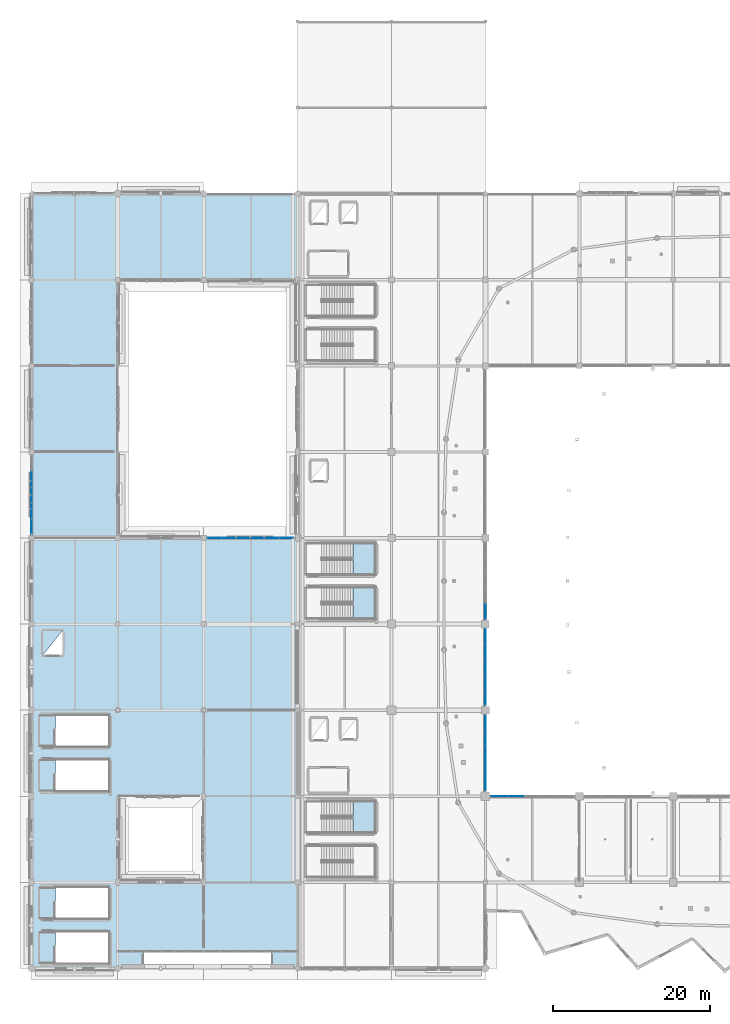
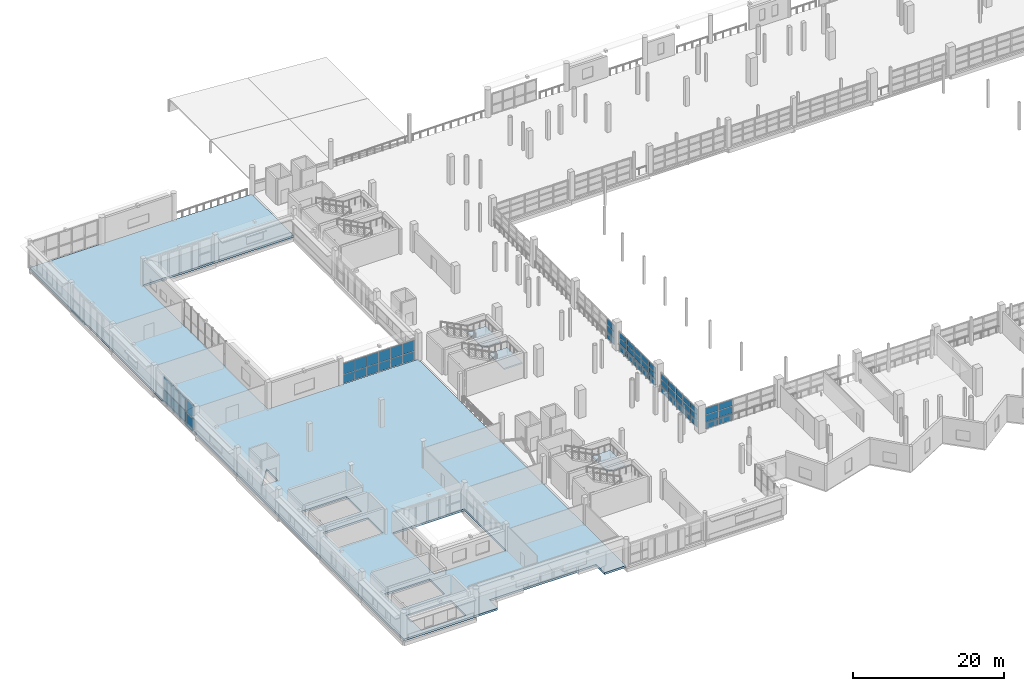
# One storey, part 66 of 118: 59 plates, 4 slabs, 9 elements without a shape of their own.
"""IFC4 building model written with IfcOpenShell, lengths in metres."""

from ifc_helpers import new_model, si_unit, direction, frame, origin, origin_2d, place, context, subcontext, project, spatial, polyline, rectangle, outline, extrude, material, layer, layer_set, type_object, element, aggregate, save


model = new_model("IFC4")

# Units and contexts
model_context = context("Model", 3, precision=1e-05, world=origin(), true_north=direction((0.0, 1.0)))
body_context = subcontext(model_context, "Body", "Model", "MODEL_VIEW")
ifc_project = project(units=[si_unit("LENGTHUNIT", "METRE"), si_unit("AREAUNIT", "SQUARE_METRE"), si_unit("VOLUMEUNIT", "CUBIC_METRE"), si_unit("PLANEANGLEUNIT", "RADIAN"), si_unit("MASSUNIT", "GRAM", prefix="KILO")], contexts=[model_context])

# Site, building, storey
site_placement = place(None, origin())
site = spatial("IfcSite", under=ifc_project, at=site_placement, CompositionType="ELEMENT")
building_placement = place(site_placement, origin())
building = spatial("IfcBuilding", under=site, at=building_placement, Name="Luwafu Chhajja Arena", CompositionType="ELEMENT")
storey_placement = place(building_placement, frame((0.0, 0.0, 10.199951171875)))
storey = spatial("IfcBuildingStorey", under=building, at=storey_placement, Name="L02", CompositionType="ELEMENT", Elevation=10.199951171875)

# Curtain wall, plates
ifc_material_1 = material(Name="Anodised bronze aluminium", Category="aluminium")
curtain_wall_type_1 = type_object("IfcCurtainWallType", Name="VIP Club Terrace Curtain Wall", PredefinedType="USERDEFINED", material=ifc_material_1)
curtain_wall_1_placement = place(storey_placement, origin())
curtain_wall_1 = element("IfcCurtainWall", 1, at=curtain_wall_1_placement, inside=storey, type_object=curtain_wall_type_1, Name="L02 Curtain Wall CWG-L02-H02_05", ObjectType="CURTAIN WALL", PredefinedType="USERDEFINED")
ifc_material_2 = material(Name="Solar-control laminated glass", Category="glass")
ifc_layer_1 = layer(ifc_material_2, 0.035888671875, Name="Solar-control laminated glass")
ifc_layer_set_1 = layer_set([ifc_layer_1], Name="Solar-control laminated glass")
plate_type_1 = type_object("IfcPlateType", Name="Acoustic Broadcast Double Glazed CW Panel 36", PredefinedType="CURTAIN_PANEL", material=ifc_layer_set_1)
plate_1_placement = place(storey_placement, frame((23.393310546875, 55.0, 0.094970703125), z_axis=(0.0, 0.0, 1.0), x_axis=(1.0, 0.0, 0.0)))
plate_1 = element("IfcPlate", 2, at=plate_1_placement, type_object=plate_type_1, Name="CW-10 panel 1.1", PredefinedType="CURTAIN_PANEL", context=body_context, shape_type="SweptSolid", body=[
    extrude(rectangle(XDim=1.7265625, YDim=0.035888671875, at=origin_2d()), origin(), (0.0, 0.0, 1.0), 1.39794921875),
])
plate_2_placement = place(storey_placement, frame((23.393310546875, 55.0, 1.55810546875), z_axis=(0.0, 0.0, 1.0), x_axis=(1.0, 0.0, 0.0)))
plate_2 = element("IfcPlate", 3, at=plate_2_placement, type_object=plate_type_1, Name="CW-10 panel 1.2", PredefinedType="CURTAIN_PANEL", context=body_context, shape_type="SweptSolid", body=[
    extrude(rectangle(XDim=1.7265625, YDim=0.035888671875, at=origin_2d()), origin(), (0.0, 0.0, 1.0), 1.76708984375),
])
plate_3_placement = place(storey_placement, frame((25.201171875, 55.0, 0.094970703125), z_axis=(0.0, 0.0, 1.0), x_axis=(1.0, 0.0, 0.0)))
plate_3 = element("IfcPlate", 4, at=plate_3_placement, type_object=plate_type_1, Name="CW-10 panel 2.1", PredefinedType="CURTAIN_PANEL", context=body_context, shape_type="SweptSolid", body=[
    extrude(rectangle(XDim=1.75927734375, YDim=0.035888671875, at=origin_2d()), origin(), (0.0, 0.0, 1.0), 1.39794921875),
])
plate_4_placement = place(storey_placement, frame((25.201171875, 55.0, 1.55810546875), z_axis=(0.0, 0.0, 1.0), x_axis=(1.0, 0.0, 0.0)))
plate_4 = element("IfcPlate", 5, at=plate_4_placement, type_object=plate_type_1, Name="CW-10 panel 2.2", PredefinedType="CURTAIN_PANEL", context=body_context, shape_type="SweptSolid", body=[
    extrude(rectangle(XDim=1.75927734375, YDim=0.035888671875, at=origin_2d()), origin(), (0.0, 0.0, 1.0), 1.76708984375),
])
plate_5_placement = place(storey_placement, frame((27.025390625, 55.0, 0.094970703125), z_axis=(0.0, 0.0, 1.0), x_axis=(1.0, 0.0, 0.0)))
plate_5 = element("IfcPlate", 6, at=plate_5_placement, type_object=plate_type_1, Name="CW-10 panel 3.1", PredefinedType="CURTAIN_PANEL", context=body_context, shape_type="SweptSolid", body=[
    extrude(rectangle(XDim=1.75927734375, YDim=0.035888671875, at=origin_2d()), origin(), (0.0, 0.0, 1.0), 1.39794921875),
])
plate_6_placement = place(storey_placement, frame((27.025390625, 55.0, 1.55810546875), z_axis=(0.0, 0.0, 1.0), x_axis=(1.0, 0.0, 0.0)))
plate_6 = element("IfcPlate", 7, at=plate_6_placement, type_object=plate_type_1, Name="CW-10 panel 3.2", PredefinedType="CURTAIN_PANEL", context=body_context, shape_type="SweptSolid", body=[
    extrude(rectangle(XDim=1.75927734375, YDim=0.035888671875, at=origin_2d()), origin(), (0.0, 0.0, 1.0), 1.76708984375),
])
plate_7_placement = place(storey_placement, frame((28.849609375, 55.0, 0.094970703125), z_axis=(0.0, 0.0, 1.0), x_axis=(1.0, 0.0, 0.0)))
plate_7 = element("IfcPlate", 8, at=plate_7_placement, type_object=plate_type_1, Name="CW-10 panel 4.1", PredefinedType="CURTAIN_PANEL", context=body_context, shape_type="SweptSolid", body=[
    extrude(rectangle(XDim=1.75927734375, YDim=0.035888671875, at=origin_2d()), origin(), (0.0, 0.0, 1.0), 1.39794921875),
])
plate_8_placement = place(storey_placement, frame((28.849609375, 55.0, 1.55810546875), z_axis=(0.0, 0.0, 1.0), x_axis=(1.0, 0.0, 0.0)))
plate_8 = element("IfcPlate", 9, at=plate_8_placement, type_object=plate_type_1, Name="CW-10 panel 4.2", PredefinedType="CURTAIN_PANEL", context=body_context, shape_type="SweptSolid", body=[
    extrude(rectangle(XDim=1.75927734375, YDim=0.035888671875, at=origin_2d()), origin(), (0.0, 0.0, 1.0), 1.76708984375),
])
plate_9_placement = place(storey_placement, frame((30.673828125, 55.0, 0.094970703125), z_axis=(0.0, 0.0, 1.0), x_axis=(1.0, 0.0, 0.0)))
plate_9 = element("IfcPlate", 10, at=plate_9_placement, type_object=plate_type_1, Name="CW-10 panel 5.1", PredefinedType="CURTAIN_PANEL", context=body_context, shape_type="SweptSolid", body=[
    extrude(rectangle(XDim=1.75927734375, YDim=0.035888671875, at=origin_2d()), origin(), (0.0, 0.0, 1.0), 1.39794921875),
])
plate_10_placement = place(storey_placement, frame((30.673828125, 55.0, 1.55810546875), z_axis=(0.0, 0.0, 1.0), x_axis=(1.0, 0.0, 0.0)))
plate_10 = element("IfcPlate", 11, at=plate_10_placement, type_object=plate_type_1, Name="CW-10 panel 5.2", PredefinedType="CURTAIN_PANEL", context=body_context, shape_type="SweptSolid", body=[
    extrude(rectangle(XDim=1.75927734375, YDim=0.035888671875, at=origin_2d()), origin(), (0.0, 0.0, 1.0), 1.76708984375),
])
plate_11_placement = place(storey_placement, frame((32.481689453125, 55.0, 0.094970703125), z_axis=(0.0, 0.0, 1.0), x_axis=(1.0, 0.0, 0.0)))
plate_11 = element("IfcPlate", 12, at=plate_11_placement, type_object=plate_type_1, Name="CW-10 panel 6.1", PredefinedType="CURTAIN_PANEL", context=body_context, shape_type="SweptSolid", body=[
    extrude(rectangle(XDim=1.7265625, YDim=0.035888671875, at=origin_2d()), origin(), (0.0, 0.0, 1.0), 1.39794921875),
])
plate_12_placement = place(storey_placement, frame((32.481689453125, 55.0, 1.55810546875), z_axis=(0.0, 0.0, 1.0), x_axis=(1.0, 0.0, 0.0)))
plate_12 = element("IfcPlate", 13, at=plate_12_placement, type_object=plate_type_1, Name="CW-10 panel 6.2", PredefinedType="CURTAIN_PANEL", context=body_context, shape_type="SweptSolid", body=[
    extrude(rectangle(XDim=1.7265625, YDim=0.035888671875, at=origin_2d()), origin(), (0.0, 0.0, 1.0), 1.76708984375),
])
aggregate(curtain_wall_1, [plate_1, plate_2, plate_3, plate_4, plate_5, plate_6, plate_7, plate_8, plate_9, plate_10, plate_11, plate_12])

# Stair, slab
ifc_material_3 = material(Name="Concrete C35/45", Category="concrete")
stair_type = type_object("IfcStairType", Name="Quadrant Protected Dog-Leg Stair 1920", PredefinedType="HALF_TURN_STAIR", material=ifc_material_3)
stair_1_placement = place(storey_placement, origin())
stair_1 = element("IfcStair", 14, at=stair_1_placement, inside=storey, type_object=stair_type, Name="L02 Protected Escape Stair ST-02", PredefinedType="HALF_TURN_STAIR")
ifc_layer_2 = layer(ifc_material_3, 0.199951171875, Name="Concrete C35/45")
ifc_layer_set_2 = layer_set([ifc_layer_2], Name="Concrete C35/45")
slab_type_1 = type_object("IfcSlabType", Name="Escape Stair Landing Slab 200", PredefinedType="LANDING", material=ifc_layer_set_2)
slab_1_placement = place(storey_placement, frame((0.0, 0.0, 2.050048828125)))
slab_1 = element("IfcSlab", 15, at=slab_1_placement, type_object=slab_type_1, Name="ST-02 landing 1", PredefinedType="LANDING", context=body_context, shape_type="SweptSolid", body=[
    extrude(outline(polyline([(41.10009765625, 17.31005859375), (43.89990234375, 17.31005859375), (43.89990234375, 21.35009765625), (41.10009765625, 21.35009765625), (41.10009765625, 17.31005859375)])), origin(), (0.0, 0.0, 1.0), 0.199951171875),
])
aggregate(stair_1, [slab_1])

stair_2_placement = place(storey_placement, origin())
stair_2 = element("IfcStair", 16, at=stair_2_placement, inside=storey, type_object=stair_type, Name="L02 Protected Escape Stair ST-09", PredefinedType="HALF_TURN_STAIR")
slab_2_placement = place(storey_placement, frame((0.0, 0.0, 2.050048828125)))
slab_2 = element("IfcSlab", 17, at=slab_2_placement, type_object=slab_type_1, Name="ST-09 landing 1", PredefinedType="LANDING", context=body_context, shape_type="SweptSolid", body=[
    extrude(outline(polyline([(41.10009765625, 44.64990234375), (43.89990234375, 44.64990234375), (43.89990234375, 48.68994140625), (41.10009765625, 48.68994140625), (41.10009765625, 44.64990234375)])), origin(), (0.0, 0.0, 1.0), 0.199951171875),
])
aggregate(stair_2, [slab_2])

stair_3_placement = place(storey_placement, origin())
stair_3 = element("IfcStair", 18, at=stair_3_placement, inside=storey, type_object=stair_type, Name="L02 Protected Escape Stair ST-10", PredefinedType="HALF_TURN_STAIR")
slab_3_placement = place(storey_placement, frame((0.0, 0.0, 2.050048828125)))
slab_3 = element("IfcSlab", 19, at=slab_3_placement, type_object=slab_type_1, Name="ST-10 landing 1", PredefinedType="LANDING", context=body_context, shape_type="SweptSolid", body=[
    extrude(outline(polyline([(41.10009765625, 50.31005859375), (43.89990234375, 50.31005859375), (43.89990234375, 54.35009765625), (41.10009765625, 54.35009765625), (41.10009765625, 50.31005859375)])), origin(), (0.0, 0.0, 1.0), 0.199951171875),
])
aggregate(stair_3, [slab_3])

# Slab
ifc_layer_3 = layer(ifc_material_3, 0.320068359375, Name="Concrete C35/45")
ifc_layer_set_3 = layer_set([ifc_layer_3], Name="Concrete C35/45")
slab_type_2 = type_object("IfcSlabType", Name="Hospitality Suite Floor Slab 320", PredefinedType="FLOOR", material=ifc_layer_set_3)
slab_4_placement = place(storey_placement, frame((0.0, 0.0, -0.320068359375)))
element("IfcSlab", 20, at=slab_4_placement, inside=storey, type_object=slab_type_2, Name="L02 Structural Floor Slab 2", PredefinedType="FLOOR", context=body_context, shape_type="SweptSolid", body=[
    extrude(outline(polyline([(33.949951171875, 99.0), (33.949951171875, 88.0), (11.0, 88.0), (11.0, 55.0), (33.949951171875, 55.0), (33.949951171875, 0.0), (30.64990234375, 0.0), (30.64990234375, 2.219970703125), (14.35009765625, 2.219970703125), (14.35009765625, 0.0), (0.0, 0.0), (0.0, 99.0), (33.949951171875, 99.0)]), holes=[polyline([(22.0, 11.0), (22.0, 22.0), (11.0, 22.0), (11.0, 11.0), (22.0, 11.0)]), polyline([(3.044921875, 32.35009765625), (3.044921875, 28.35009765625), (9.89990234375, 28.35009765625), (9.89990234375, 32.35009765625), (3.044921875, 32.35009765625)]), polyline([(3.044921875, 10.35009765625), (3.044921875, 6.35009765625), (9.89990234375, 6.35009765625), (9.89990234375, 10.35009765625), (3.044921875, 10.35009765625)]), polyline([(3.044921875, 22.64990234375), (9.89990234375, 22.64990234375), (9.89990234375, 26.64990234375), (3.044921875, 26.64990234375), (3.044921875, 22.64990234375)]), polyline([(3.044921875, 0.64990234375), (9.89990234375, 0.64990234375), (9.89990234375, 4.64990234375), (3.044921875, 4.64990234375), (3.044921875, 0.64990234375)]), polyline([(3.919921875, 43.1201171875), (1.47998046875, 40.080078125), (3.919921875, 40.080078125), (3.919921875, 43.1201171875)])]), origin(), (0.0, 0.0, 1.0), 0.320068359375),
])

# Curtain wall, plates
curtain_wall_type_2 = type_object("IfcCurtainWallType", Name="Pishtaq Monumental Portal Curtain Wall", PredefinedType="USERDEFINED", material=ifc_material_1)
curtain_wall_2_placement = place(storey_placement, origin())
curtain_wall_2 = element("IfcCurtainWall", 21, at=curtain_wall_2_placement, inside=storey, type_object=curtain_wall_type_2, Name="L02 Curtain Wall CWG-L02-V00_05", ObjectType="CURTAIN WALL", PredefinedType="USERDEFINED")
ifc_layer_4 = layer(ifc_material_2, 0.0419921875, Name="Solar-control laminated glass")
ifc_layer_set_4 = layer_set([ifc_layer_4], Name="Solar-control laminated glass")
plate_type_2 = type_object("IfcPlateType", Name="Pishtaq Tall Laminated Glazed Panel 42", PredefinedType="CURTAIN_PANEL", material=ifc_layer_set_4)
plate_13_placement = place(storey_placement, frame((0.0, 56.491943359375, 0.110107421875), z_axis=(0.0, 0.0, 1.0), x_axis=(0.0, 1.0, 0.0)))
plate_13 = element("IfcPlate", 22, at=plate_13_placement, type_object=plate_type_2, Name="CW-04 panel 1.1", PredefinedType="CURTAIN_PANEL", context=body_context, shape_type="SweptSolid", body=[
    extrude(rectangle(XDim=1.89404296875, YDim=0.0419921875, at=origin_2d()), origin(), (0.0, 0.0, 1.0), 1.71533203125),
])
plate_14_placement = place(storey_placement, frame((0.0, 56.491943359375, 1.9052734375), z_axis=(0.0, 0.0, 1.0), x_axis=(0.0, 1.0, 0.0)))
plate_14 = element("IfcPlate", 23, at=plate_14_placement, type_object=plate_type_2, Name="CW-04 panel 1.2", PredefinedType="CURTAIN_PANEL", context=body_context, shape_type="SweptSolid", body=[
    extrude(rectangle(XDim=1.89404296875, YDim=0.0419921875, at=origin_2d()), origin(), (0.0, 0.0, 1.0), 2.15966796875),
])
plate_15_placement = place(storey_placement, frame((0.0, 58.486083984375, 0.110107421875), z_axis=(0.0, 0.0, 1.0), x_axis=(0.0, 1.0, 0.0)))
plate_15 = element("IfcPlate", 24, at=plate_15_placement, type_object=plate_type_2, Name="CW-04 panel 2.1", PredefinedType="CURTAIN_PANEL", context=body_context, shape_type="SweptSolid", body=[
    extrude(rectangle(XDim=1.93408203125, YDim=0.0419921875, at=origin_2d()), origin(), (0.0, 0.0, 1.0), 1.71533203125),
])
plate_16_placement = place(storey_placement, frame((0.0, 58.486083984375, 1.9052734375), z_axis=(0.0, 0.0, 1.0), x_axis=(0.0, 1.0, 0.0)))
plate_16 = element("IfcPlate", 25, at=plate_16_placement, type_object=plate_type_2, Name="CW-04 panel 2.2", PredefinedType="CURTAIN_PANEL", context=body_context, shape_type="SweptSolid", body=[
    extrude(rectangle(XDim=1.93408203125, YDim=0.0419921875, at=origin_2d()), origin(), (0.0, 0.0, 1.0), 2.15966796875),
])
plate_17_placement = place(storey_placement, frame((0.0, 60.5, 0.110107421875), z_axis=(0.0, 0.0, 1.0), x_axis=(0.0, 1.0, 0.0)))
plate_17 = element("IfcPlate", 26, at=plate_17_placement, type_object=plate_type_2, Name="CW-04 panel 3.1", PredefinedType="CURTAIN_PANEL", context=body_context, shape_type="SweptSolid", body=[
    extrude(rectangle(XDim=1.93408203125, YDim=0.0419921875, at=origin_2d()), origin(), (0.0, 0.0, 1.0), 1.71533203125),
])
plate_18_placement = place(storey_placement, frame((0.0, 60.5, 1.9052734375), z_axis=(0.0, 0.0, 1.0), x_axis=(0.0, 1.0, 0.0)))
plate_18 = element("IfcPlate", 27, at=plate_18_placement, type_object=plate_type_2, Name="CW-04 panel 3.2", PredefinedType="CURTAIN_PANEL", context=body_context, shape_type="SweptSolid", body=[
    extrude(rectangle(XDim=1.93408203125, YDim=0.0419921875, at=origin_2d()), origin(), (0.0, 0.0, 1.0), 2.15966796875),
])
plate_19_placement = place(storey_placement, frame((0.0, 62.513916015625, 0.110107421875), z_axis=(0.0, 0.0, 1.0), x_axis=(0.0, 1.0, 0.0)))
plate_19 = element("IfcPlate", 28, at=plate_19_placement, type_object=plate_type_2, Name="CW-04 panel 4.1", PredefinedType="CURTAIN_PANEL", context=body_context, shape_type="SweptSolid", body=[
    extrude(rectangle(XDim=1.93408203125, YDim=0.0419921875, at=origin_2d()), origin(), (0.0, 0.0, 1.0), 1.71533203125),
])
plate_20_placement = place(storey_placement, frame((0.0, 62.513916015625, 1.9052734375), z_axis=(0.0, 0.0, 1.0), x_axis=(0.0, 1.0, 0.0)))
plate_20 = element("IfcPlate", 29, at=plate_20_placement, type_object=plate_type_2, Name="CW-04 panel 4.2", PredefinedType="CURTAIN_PANEL", context=body_context, shape_type="SweptSolid", body=[
    extrude(rectangle(XDim=1.93408203125, YDim=0.0419921875, at=origin_2d()), origin(), (0.0, 0.0, 1.0), 2.15966796875),
])
aggregate(curtain_wall_2, [plate_13, plate_14, plate_15, plate_16, plate_17, plate_18, plate_19, plate_20])

curtain_wall_type_3 = type_object("IfcCurtainWallType", Name="Hospitality Ring Curtain Wall", PredefinedType="USERDEFINED", material=ifc_material_1)
curtain_wall_3_placement = place(storey_placement, origin())
curtain_wall_3 = element("IfcCurtainWall", 30, at=curtain_wall_3_placement, inside=storey, type_object=curtain_wall_type_3, Name="L02 Bowl Viewing Curtain Wall CWR-L02-01", ObjectType="CURTAIN WALL", PredefinedType="USERDEFINED")
ifc_layer_5 = layer(ifc_material_2, 0.028076171875, Name="Solar-control laminated glass")
ifc_layer_set_5 = layer_set([ifc_layer_5], Name="Solar-control laminated glass")
plate_type_3 = type_object("IfcPlateType", Name="Solar Control Double Glazed CW Panel 28", PredefinedType="CURTAIN_PANEL", material=ifc_layer_set_5)
plate_21_placement = place(storey_placement, frame((59.773193359375, 22.0, 0.06494140625), z_axis=(0.0, 0.0, 1.0), x_axis=(1.0, 0.0, 0.0)))
plate_21 = element("IfcPlate", 31, at=plate_21_placement, type_object=plate_type_3, Name="CW-02 panel 1.1", PredefinedType="CURTAIN_PANEL", context=body_context, shape_type="SweptSolid", body=[
    extrude(rectangle(XDim=2.03662109375, YDim=0.028076171875, at=origin_2d()), origin(), (0.0, 0.0, 1.0), 1.052490234375),
])
plate_22_placement = place(storey_placement, frame((59.773193359375, 22.0, 1.1826171875), z_axis=(0.0, 0.0, 1.0), x_axis=(1.0, 0.0, 0.0)))
plate_22 = element("IfcPlate", 32, at=plate_22_placement, type_object=plate_type_3, Name="CW-02 panel 1.2", PredefinedType="CURTAIN_PANEL", context=body_context, shape_type="SweptSolid", body=[
    extrude(rectangle(XDim=2.03662109375, YDim=0.028076171875, at=origin_2d()), origin(), (0.0, 0.0, 1.0), 1.094970703125),
])
plate_23_placement = place(storey_placement, frame((59.773193359375, 22.0, 2.34228515625), z_axis=(0.0, 0.0, 1.0), x_axis=(1.0, 0.0, 0.0)))
plate_23 = element("IfcPlate", 33, at=plate_23_placement, type_object=plate_type_3, Name="CW-02 panel 1.3", PredefinedType="CURTAIN_PANEL", context=body_context, shape_type="SweptSolid", body=[
    extrude(rectangle(XDim=2.03662109375, YDim=0.028076171875, at=origin_2d()), origin(), (0.0, 0.0, 1.0), 1.0625),
])
plate_24_placement = place(storey_placement, frame((61.89111328125, 22.0, 0.06494140625), z_axis=(0.0, 0.0, 1.0), x_axis=(1.0, 0.0, 0.0)))
plate_24 = element("IfcPlate", 34, at=plate_24_placement, type_object=plate_type_3, Name="CW-02 panel 2.1", PredefinedType="CURTAIN_PANEL", context=body_context, shape_type="SweptSolid", body=[
    extrude(rectangle(XDim=2.069091796875, YDim=0.028076171875, at=origin_2d()), origin(), (0.0, 0.0, 1.0), 1.052490234375),
])
plate_25_placement = place(storey_placement, frame((61.89111328125, 22.0, 1.1826171875), z_axis=(0.0, 0.0, 1.0), x_axis=(1.0, 0.0, 0.0)))
plate_25 = element("IfcPlate", 35, at=plate_25_placement, type_object=plate_type_3, Name="CW-02 panel 2.2", PredefinedType="CURTAIN_PANEL", context=body_context, shape_type="SweptSolid", body=[
    extrude(rectangle(XDim=2.069091796875, YDim=0.028076171875, at=origin_2d()), origin(), (0.0, 0.0, 1.0), 1.094970703125),
])
plate_26_placement = place(storey_placement, frame((61.89111328125, 22.0, 2.34228515625), z_axis=(0.0, 0.0, 1.0), x_axis=(1.0, 0.0, 0.0)))
plate_26 = element("IfcPlate", 36, at=plate_26_placement, type_object=plate_type_3, Name="CW-02 panel 2.3", PredefinedType="CURTAIN_PANEL", context=body_context, shape_type="SweptSolid", body=[
    extrude(rectangle(XDim=2.069091796875, YDim=0.028076171875, at=origin_2d()), origin(), (0.0, 0.0, 1.0), 1.0625),
])
aggregate(curtain_wall_3, [plate_21, plate_22, plate_23, plate_24, plate_25, plate_26])

curtain_wall_4_placement = place(storey_placement, origin())
curtain_wall_4 = element("IfcCurtainWall", 37, at=curtain_wall_4_placement, inside=storey, type_object=curtain_wall_type_3, Name="L02 Bowl Viewing Curtain Wall CWR-L02-15", ObjectType="CURTAIN WALL", PredefinedType="USERDEFINED")
plate_27_placement = place(storey_placement, frame((58.0, 23.67333984375, 0.06494140625), z_axis=(0.0, 0.0, 1.0), x_axis=(0.0, 1.0, 0.0)))
plate_27 = element("IfcPlate", 38, at=plate_27_placement, type_object=plate_type_3, Name="CW-02 panel 1.1", PredefinedType="CURTAIN_PANEL", context=body_context, shape_type="SweptSolid", body=[
    extrude(rectangle(XDim=1.83642578125, YDim=0.028076171875, at=origin_2d()), origin(), (0.0, 0.0, 1.0), 1.052490234375),
])
plate_28_placement = place(storey_placement, frame((58.0, 23.67333984375, 1.1826171875), z_axis=(0.0, 0.0, 1.0), x_axis=(0.0, 1.0, 0.0)))
plate_28 = element("IfcPlate", 39, at=plate_28_placement, type_object=plate_type_3, Name="CW-02 panel 1.2", PredefinedType="CURTAIN_PANEL", context=body_context, shape_type="SweptSolid", body=[
    extrude(rectangle(XDim=1.83642578125, YDim=0.028076171875, at=origin_2d()), origin(), (0.0, 0.0, 1.0), 0.929931640625),
])
plate_29_placement = place(storey_placement, frame((58.0, 23.67333984375, 2.177490234375), z_axis=(0.0, 0.0, 1.0), x_axis=(0.0, 1.0, 0.0)))
plate_29 = element("IfcPlate", 40, at=plate_29_placement, type_object=plate_type_3, Name="CW-02 panel 1.3", PredefinedType="CURTAIN_PANEL", context=body_context, shape_type="SweptSolid", body=[
    extrude(rectangle(XDim=1.83642578125, YDim=0.028076171875, at=origin_2d()), origin(), (0.0, 0.0, 1.0), 0.8974609375),
])
plate_30_placement = place(storey_placement, frame((58.0, 25.591064453125, 0.06494140625), z_axis=(0.0, 0.0, 1.0), x_axis=(0.0, 1.0, 0.0)))
plate_30 = element("IfcPlate", 41, at=plate_30_placement, type_object=plate_type_3, Name="CW-02 panel 2.1", PredefinedType="CURTAIN_PANEL", context=body_context, shape_type="SweptSolid", body=[
    extrude(rectangle(XDim=1.868896484375, YDim=0.028076171875, at=origin_2d()), origin(), (0.0, 0.0, 1.0), 1.052490234375),
])
plate_31_placement = place(storey_placement, frame((58.0, 25.591064453125, 1.1826171875), z_axis=(0.0, 0.0, 1.0), x_axis=(0.0, 1.0, 0.0)))
plate_31 = element("IfcPlate", 42, at=plate_31_placement, type_object=plate_type_3, Name="CW-02 panel 2.2", PredefinedType="CURTAIN_PANEL", context=body_context, shape_type="SweptSolid", body=[
    extrude(rectangle(XDim=1.868896484375, YDim=0.028076171875, at=origin_2d()), origin(), (0.0, 0.0, 1.0), 0.929931640625),
])
plate_32_placement = place(storey_placement, frame((58.0, 25.591064453125, 2.177490234375), z_axis=(0.0, 0.0, 1.0), x_axis=(0.0, 1.0, 0.0)))
plate_32 = element("IfcPlate", 43, at=plate_32_placement, type_object=plate_type_3, Name="CW-02 panel 2.3", PredefinedType="CURTAIN_PANEL", context=body_context, shape_type="SweptSolid", body=[
    extrude(rectangle(XDim=1.868896484375, YDim=0.028076171875, at=origin_2d()), origin(), (0.0, 0.0, 1.0), 0.8974609375),
])
plate_33_placement = place(storey_placement, frame((58.0, 27.52490234375, 0.06494140625), z_axis=(0.0, 0.0, 1.0), x_axis=(0.0, 1.0, 0.0)))
plate_33 = element("IfcPlate", 44, at=plate_33_placement, type_object=plate_type_3, Name="CW-02 panel 3.1", PredefinedType="CURTAIN_PANEL", context=body_context, shape_type="SweptSolid", body=[
    extrude(rectangle(XDim=1.868896484375, YDim=0.028076171875, at=origin_2d()), origin(), (0.0, 0.0, 1.0), 1.052490234375),
])
plate_34_placement = place(storey_placement, frame((58.0, 27.52490234375, 1.1826171875), z_axis=(0.0, 0.0, 1.0), x_axis=(0.0, 1.0, 0.0)))
plate_34 = element("IfcPlate", 45, at=plate_34_placement, type_object=plate_type_3, Name="CW-02 panel 3.2", PredefinedType="CURTAIN_PANEL", context=body_context, shape_type="SweptSolid", body=[
    extrude(rectangle(XDim=1.868896484375, YDim=0.028076171875, at=origin_2d()), origin(), (0.0, 0.0, 1.0), 0.929931640625),
])
plate_35_placement = place(storey_placement, frame((58.0, 27.52490234375, 2.177490234375), z_axis=(0.0, 0.0, 1.0), x_axis=(0.0, 1.0, 0.0)))
plate_35 = element("IfcPlate", 46, at=plate_35_placement, type_object=plate_type_3, Name="CW-02 panel 3.3", PredefinedType="CURTAIN_PANEL", context=body_context, shape_type="SweptSolid", body=[
    extrude(rectangle(XDim=1.868896484375, YDim=0.028076171875, at=origin_2d()), origin(), (0.0, 0.0, 1.0), 0.8974609375),
])
plate_36_placement = place(storey_placement, frame((58.0, 29.458984375, 0.06494140625), z_axis=(0.0, 0.0, 1.0), x_axis=(0.0, 1.0, 0.0)))
plate_36 = element("IfcPlate", 47, at=plate_36_placement, type_object=plate_type_3, Name="CW-02 panel 4.1", PredefinedType="CURTAIN_PANEL", context=body_context, shape_type="SweptSolid", body=[
    extrude(rectangle(XDim=1.868896484375, YDim=0.028076171875, at=origin_2d()), origin(), (0.0, 0.0, 1.0), 1.052490234375),
])
plate_37_placement = place(storey_placement, frame((58.0, 29.458984375, 1.1826171875), z_axis=(0.0, 0.0, 1.0), x_axis=(0.0, 1.0, 0.0)))
plate_37 = element("IfcPlate", 48, at=plate_37_placement, type_object=plate_type_3, Name="CW-02 panel 4.2", PredefinedType="CURTAIN_PANEL", context=body_context, shape_type="SweptSolid", body=[
    extrude(rectangle(XDim=1.868896484375, YDim=0.028076171875, at=origin_2d()), origin(), (0.0, 0.0, 1.0), 0.929931640625),
])
plate_38_placement = place(storey_placement, frame((58.0, 29.458984375, 2.177490234375), z_axis=(0.0, 0.0, 1.0), x_axis=(0.0, 1.0, 0.0)))
plate_38 = element("IfcPlate", 49, at=plate_38_placement, type_object=plate_type_3, Name="CW-02 panel 4.3", PredefinedType="CURTAIN_PANEL", context=body_context, shape_type="SweptSolid", body=[
    extrude(rectangle(XDim=1.868896484375, YDim=0.028076171875, at=origin_2d()), origin(), (0.0, 0.0, 1.0), 0.8974609375),
])
plate_39_placement = place(storey_placement, frame((58.0, 31.376708984375, 0.06494140625), z_axis=(0.0, 0.0, 1.0), x_axis=(0.0, 1.0, 0.0)))
plate_39 = element("IfcPlate", 50, at=plate_39_placement, type_object=plate_type_3, Name="CW-02 panel 5.1", PredefinedType="CURTAIN_PANEL", context=body_context, shape_type="SweptSolid", body=[
    extrude(rectangle(XDim=1.83642578125, YDim=0.028076171875, at=origin_2d()), origin(), (0.0, 0.0, 1.0), 1.052490234375),
])
plate_40_placement = place(storey_placement, frame((58.0, 31.376708984375, 1.1826171875), z_axis=(0.0, 0.0, 1.0), x_axis=(0.0, 1.0, 0.0)))
plate_40 = element("IfcPlate", 51, at=plate_40_placement, type_object=plate_type_3, Name="CW-02 panel 5.2", PredefinedType="CURTAIN_PANEL", context=body_context, shape_type="SweptSolid", body=[
    extrude(rectangle(XDim=1.83642578125, YDim=0.028076171875, at=origin_2d()), origin(), (0.0, 0.0, 1.0), 0.929931640625),
])
plate_41_placement = place(storey_placement, frame((58.0, 31.376708984375, 2.177490234375), z_axis=(0.0, 0.0, 1.0), x_axis=(0.0, 1.0, 0.0)))
plate_41 = element("IfcPlate", 52, at=plate_41_placement, type_object=plate_type_3, Name="CW-02 panel 5.3", PredefinedType="CURTAIN_PANEL", context=body_context, shape_type="SweptSolid", body=[
    extrude(rectangle(XDim=1.83642578125, YDim=0.028076171875, at=origin_2d()), origin(), (0.0, 0.0, 1.0), 0.8974609375),
])
aggregate(curtain_wall_4, [plate_27, plate_28, plate_29, plate_30, plate_31, plate_32, plate_33, plate_34, plate_35, plate_36, plate_37, plate_38, plate_39, plate_40, plate_41])

curtain_wall_5_placement = place(storey_placement, origin())
curtain_wall_5 = element("IfcCurtainWall", 53, at=curtain_wall_5_placement, inside=storey, type_object=curtain_wall_type_3, Name="L02 Bowl Viewing Curtain Wall CWR-L02-16", ObjectType="CURTAIN WALL", PredefinedType="USERDEFINED")
plate_42_placement = place(storey_placement, frame((58.0, 34.630859375, 0.06494140625), z_axis=(0.0, 0.0, 1.0), x_axis=(0.0, 1.0, 0.0)))
plate_42 = element("IfcPlate", 54, at=plate_42_placement, type_object=plate_type_3, Name="CW-02 panel 1.1", PredefinedType="CURTAIN_PANEL", context=body_context, shape_type="SweptSolid", body=[
    extrude(rectangle(XDim=1.8515625, YDim=0.028076171875, at=origin_2d()), origin(), (0.0, 0.0, 1.0), 1.052490234375),
])
plate_43_placement = place(storey_placement, frame((58.0, 34.630859375, 1.1826171875), z_axis=(0.0, 0.0, 1.0), x_axis=(0.0, 1.0, 0.0)))
plate_43 = element("IfcPlate", 55, at=plate_43_placement, type_object=plate_type_3, Name="CW-02 panel 1.2", PredefinedType="CURTAIN_PANEL", context=body_context, shape_type="SweptSolid", body=[
    extrude(rectangle(XDim=1.8515625, YDim=0.028076171875, at=origin_2d()), origin(), (0.0, 0.0, 1.0), 0.929931640625),
])
plate_44_placement = place(storey_placement, frame((58.0, 34.630859375, 2.177490234375), z_axis=(0.0, 0.0, 1.0), x_axis=(0.0, 1.0, 0.0)))
plate_44 = element("IfcPlate", 56, at=plate_44_placement, type_object=plate_type_3, Name="CW-02 panel 1.3", PredefinedType="CURTAIN_PANEL", context=body_context, shape_type="SweptSolid", body=[
    extrude(rectangle(XDim=1.8515625, YDim=0.028076171875, at=origin_2d()), origin(), (0.0, 0.0, 1.0), 0.8974609375),
])
plate_45_placement = place(storey_placement, frame((58.0, 36.5634765625, 0.06494140625), z_axis=(0.0, 0.0, 1.0), x_axis=(0.0, 1.0, 0.0)))
plate_45 = element("IfcPlate", 57, at=plate_45_placement, type_object=plate_type_3, Name="CW-02 panel 2.1", PredefinedType="CURTAIN_PANEL", context=body_context, shape_type="SweptSolid", body=[
    extrude(rectangle(XDim=1.884033203125, YDim=0.028076171875, at=origin_2d()), origin(), (0.0, 0.0, 1.0), 1.052490234375),
])
plate_46_placement = place(storey_placement, frame((58.0, 36.5634765625, 1.1826171875), z_axis=(0.0, 0.0, 1.0), x_axis=(0.0, 1.0, 0.0)))
plate_46 = element("IfcPlate", 58, at=plate_46_placement, type_object=plate_type_3, Name="CW-02 panel 2.2", PredefinedType="CURTAIN_PANEL", context=body_context, shape_type="SweptSolid", body=[
    extrude(rectangle(XDim=1.884033203125, YDim=0.028076171875, at=origin_2d()), origin(), (0.0, 0.0, 1.0), 0.929931640625),
])
plate_47_placement = place(storey_placement, frame((58.0, 36.5634765625, 2.177490234375), z_axis=(0.0, 0.0, 1.0), x_axis=(0.0, 1.0, 0.0)))
plate_47 = element("IfcPlate", 59, at=plate_47_placement, type_object=plate_type_3, Name="CW-02 panel 2.3", PredefinedType="CURTAIN_PANEL", context=body_context, shape_type="SweptSolid", body=[
    extrude(rectangle(XDim=1.884033203125, YDim=0.028076171875, at=origin_2d()), origin(), (0.0, 0.0, 1.0), 0.8974609375),
])
plate_48_placement = place(storey_placement, frame((58.0, 38.512451171875, 0.06494140625), z_axis=(0.0, 0.0, 1.0), x_axis=(0.0, 1.0, 0.0)))
plate_48 = element("IfcPlate", 60, at=plate_48_placement, type_object=plate_type_3, Name="CW-02 panel 3.1", PredefinedType="CURTAIN_PANEL", context=body_context, shape_type="SweptSolid", body=[
    extrude(rectangle(XDim=1.884033203125, YDim=0.028076171875, at=origin_2d()), origin(), (0.0, 0.0, 1.0), 1.052490234375),
])
plate_49_placement = place(storey_placement, frame((58.0, 38.512451171875, 1.1826171875), z_axis=(0.0, 0.0, 1.0), x_axis=(0.0, 1.0, 0.0)))
plate_49 = element("IfcPlate", 61, at=plate_49_placement, type_object=plate_type_3, Name="CW-02 panel 3.2", PredefinedType="CURTAIN_PANEL", context=body_context, shape_type="SweptSolid", body=[
    extrude(rectangle(XDim=1.884033203125, YDim=0.028076171875, at=origin_2d()), origin(), (0.0, 0.0, 1.0), 0.929931640625),
])
plate_50_placement = place(storey_placement, frame((58.0, 38.512451171875, 2.177490234375), z_axis=(0.0, 0.0, 1.0), x_axis=(0.0, 1.0, 0.0)))
plate_50 = element("IfcPlate", 62, at=plate_50_placement, type_object=plate_type_3, Name="CW-02 panel 3.3", PredefinedType="CURTAIN_PANEL", context=body_context, shape_type="SweptSolid", body=[
    extrude(rectangle(XDim=1.884033203125, YDim=0.028076171875, at=origin_2d()), origin(), (0.0, 0.0, 1.0), 0.8974609375),
])
plate_51_placement = place(storey_placement, frame((58.0, 40.46142578125, 0.06494140625), z_axis=(0.0, 0.0, 1.0), x_axis=(0.0, 1.0, 0.0)))
plate_51 = element("IfcPlate", 63, at=plate_51_placement, type_object=plate_type_3, Name="CW-02 panel 4.1", PredefinedType="CURTAIN_PANEL", context=body_context, shape_type="SweptSolid", body=[
    extrude(rectangle(XDim=1.884033203125, YDim=0.028076171875, at=origin_2d()), origin(), (0.0, 0.0, 1.0), 1.052490234375),
])
plate_52_placement = place(storey_placement, frame((58.0, 40.46142578125, 1.1826171875), z_axis=(0.0, 0.0, 1.0), x_axis=(0.0, 1.0, 0.0)))
plate_52 = element("IfcPlate", 64, at=plate_52_placement, type_object=plate_type_3, Name="CW-02 panel 4.2", PredefinedType="CURTAIN_PANEL", context=body_context, shape_type="SweptSolid", body=[
    extrude(rectangle(XDim=1.884033203125, YDim=0.028076171875, at=origin_2d()), origin(), (0.0, 0.0, 1.0), 0.929931640625),
])
plate_53_placement = place(storey_placement, frame((58.0, 40.46142578125, 2.177490234375), z_axis=(0.0, 0.0, 1.0), x_axis=(0.0, 1.0, 0.0)))
plate_53 = element("IfcPlate", 65, at=plate_53_placement, type_object=plate_type_3, Name="CW-02 panel 4.3", PredefinedType="CURTAIN_PANEL", context=body_context, shape_type="SweptSolid", body=[
    extrude(rectangle(XDim=1.884033203125, YDim=0.028076171875, at=origin_2d()), origin(), (0.0, 0.0, 1.0), 0.8974609375),
])
plate_54_placement = place(storey_placement, frame((58.0, 42.394287109375, 0.06494140625), z_axis=(0.0, 0.0, 1.0), x_axis=(0.0, 1.0, 0.0)))
plate_54 = element("IfcPlate", 66, at=plate_54_placement, type_object=plate_type_3, Name="CW-02 panel 5.1", PredefinedType="CURTAIN_PANEL", context=body_context, shape_type="SweptSolid", body=[
    extrude(rectangle(XDim=1.8515625, YDim=0.028076171875, at=origin_2d()), origin(), (0.0, 0.0, 1.0), 1.052490234375),
])
plate_55_placement = place(storey_placement, frame((58.0, 42.394287109375, 1.1826171875), z_axis=(0.0, 0.0, 1.0), x_axis=(0.0, 1.0, 0.0)))
plate_55 = element("IfcPlate", 67, at=plate_55_placement, type_object=plate_type_3, Name="CW-02 panel 5.2", PredefinedType="CURTAIN_PANEL", context=body_context, shape_type="SweptSolid", body=[
    extrude(rectangle(XDim=1.8515625, YDim=0.028076171875, at=origin_2d()), origin(), (0.0, 0.0, 1.0), 0.929931640625),
])
plate_56_placement = place(storey_placement, frame((58.0, 42.394287109375, 2.177490234375), z_axis=(0.0, 0.0, 1.0), x_axis=(0.0, 1.0, 0.0)))
plate_56 = element("IfcPlate", 68, at=plate_56_placement, type_object=plate_type_3, Name="CW-02 panel 5.3", PredefinedType="CURTAIN_PANEL", context=body_context, shape_type="SweptSolid", body=[
    extrude(rectangle(XDim=1.8515625, YDim=0.028076171875, at=origin_2d()), origin(), (0.0, 0.0, 1.0), 0.8974609375),
])
aggregate(curtain_wall_5, [plate_42, plate_43, plate_44, plate_45, plate_46, plate_47, plate_48, plate_49, plate_50, plate_51, plate_52, plate_53, plate_54, plate_55, plate_56])

curtain_wall_6_placement = place(storey_placement, origin())
curtain_wall_6 = element("IfcCurtainWall", 69, at=curtain_wall_6_placement, inside=storey, type_object=curtain_wall_type_3, Name="L02 Bowl Viewing Curtain Wall CWR-L02-17", ObjectType="CURTAIN WALL", PredefinedType="USERDEFINED")
plate_57_placement = place(storey_placement, frame((58.0, 45.61328125, 0.06494140625), z_axis=(0.0, 0.0, 1.0), x_axis=(0.0, 1.0, 0.0)))
plate_57 = element("IfcPlate", 70, at=plate_57_placement, type_object=plate_type_3, Name="CW-02 panel 1.1", PredefinedType="CURTAIN_PANEL", context=body_context, shape_type="SweptSolid", body=[
    extrude(rectangle(XDim=1.866455078125, YDim=0.028076171875, at=origin_2d()), origin(), (0.0, 0.0, 1.0), 1.052490234375),
])
plate_58_placement = place(storey_placement, frame((58.0, 45.61328125, 1.1826171875), z_axis=(0.0, 0.0, 1.0), x_axis=(0.0, 1.0, 0.0)))
plate_58 = element("IfcPlate", 71, at=plate_58_placement, type_object=plate_type_3, Name="CW-02 panel 1.2", PredefinedType="CURTAIN_PANEL", context=body_context, shape_type="SweptSolid", body=[
    extrude(rectangle(XDim=1.866455078125, YDim=0.028076171875, at=origin_2d()), origin(), (0.0, 0.0, 1.0), 1.030029296875),
])
plate_59_placement = place(storey_placement, frame((58.0, 45.61328125, 2.277587890625), z_axis=(0.0, 0.0, 1.0), x_axis=(0.0, 1.0, 0.0)))
plate_59 = element("IfcPlate", 72, at=plate_59_placement, type_object=plate_type_3, Name="CW-02 panel 1.3", PredefinedType="CURTAIN_PANEL", context=body_context, shape_type="SweptSolid", body=[
    extrude(rectangle(XDim=1.866455078125, YDim=0.028076171875, at=origin_2d()), origin(), (0.0, 0.0, 1.0), 0.99755859375),
])
aggregate(curtain_wall_6, [plate_57, plate_58, plate_59])

save(model, "model.ifc")
